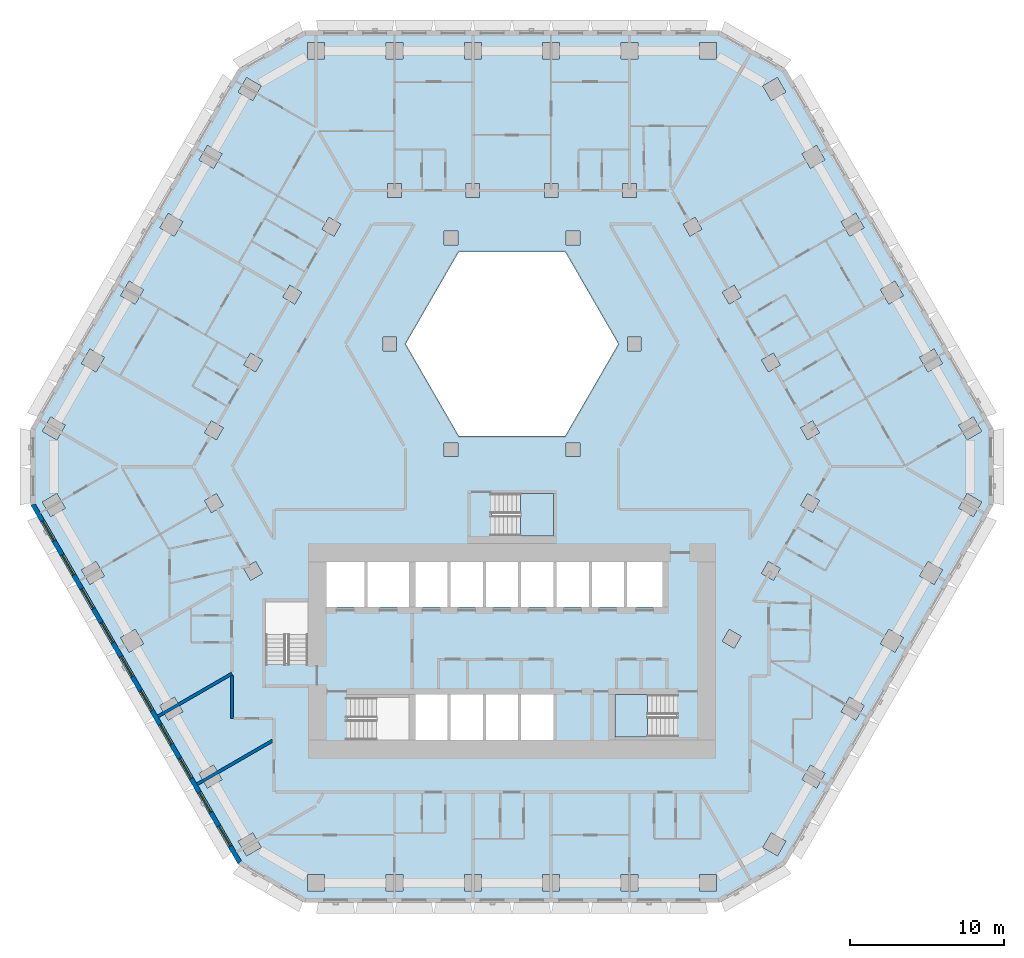
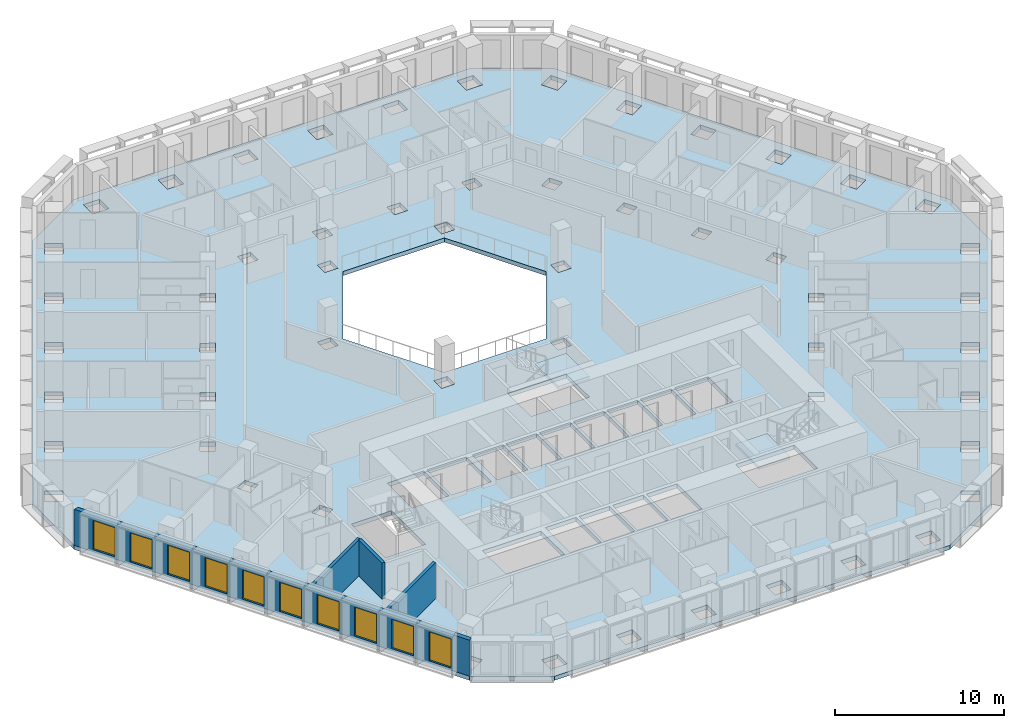
# One storey, part 2 of 21: 10 windows, 4 walls, 3 slabs, 10 openings, 2 elements without a shape of their own.
"""IFC4 building model written with IfcOpenShell, lengths in metres."""

import ifcopenshell
import ifcopenshell.guid

model = None  # the IFC model being written
_history = None  # IfcOwnerHistory: only IFC2X3 demands one
_inside = {}  # id of a spatial element -> (the spatial element, [elements in it])
_under = {}  # id of a project, library or spatial element -> (it, [spatial elements below it])
_declared = {}  # id of a project -> (the project, [libraries it declares])
_typed = {}  # id of a type object -> (the type object, [elements of that type])
_made_of = {}  # id of a material, layer set ... -> (it, [elements and type objects made of it])


def new_model(schema):
    """Start an empty IFC model of exactly this schema.

    Asked for "IFC4X3", IfcOpenShell would pick the latest addendum, in which some entities
    have other attributes; the version numbers below select the first issue.
    IFC2X3 requires an IfcOwnerHistory on every rooted entity: one is made here for all.
    """
    global model, _history
    if schema == "IFC4X3":
        model = ifcopenshell.file(schema_version=(4, 3, 0, 0))
    else:
        model = ifcopenshell.file(schema=schema)
    _inside.clear()
    _under.clear()
    _declared.clear()
    _typed.clear()
    _made_of.clear()
    _history = None
    if model.schema == "IFC2X3":
        org = make("IfcOrganization", Name="unknown")
        user = make(
            "IfcPersonAndOrganization",
            ThePerson=make("IfcPerson", FamilyName="unknown"),
            TheOrganization=org,
        )
        app = make(
            "IfcApplication",
            ApplicationDeveloper=org,
            Version="unknown",
            ApplicationFullName="unknown",
            ApplicationIdentifier="unknown",
        )
        _history = make(
            "IfcOwnerHistory",
            OwningUser=user,
            OwningApplication=app,
            ChangeAction="ADDED",
            CreationDate=0,
        )
    return model


def make(cls, **values):
    """One entity of the class cls with the attributes given. An attribute that is None is left unset."""
    return model.create_entity(
        cls, **{name: value for name, value in values.items() if value is not None}
    )


def rooted(cls, **values):
    """An entity with a GlobalId (a new one), such as an element, a storey or a relation."""
    return make(cls, GlobalId=ifcopenshell.guid.new(), OwnerHistory=_history, **values)


def si_unit(unit_type, name, prefix=None):
    """IfcSIUnit, for example si_unit("LENGTHUNIT", "METRE", prefix="MILLI")."""
    return make("IfcSIUnit", UnitType=unit_type, Prefix=prefix, Name=name)


def assignment(units):
    """IfcUnitAssignment: the units of a project."""
    return None if units is None else make("IfcUnitAssignment", Units=units)


def point(xyz):
    """IfcCartesianPoint."""
    return None if xyz is None else make("IfcCartesianPoint", Coordinates=xyz)


def direction(xyz):
    """IfcDirection."""
    return None if xyz is None else make("IfcDirection", DirectionRatios=xyz)


def frame(location, z_axis=None, x_axis=None):
    """IfcAxis2Placement3D, a coordinate frame: its origin and axes. An axis left out is left unset."""
    return make(
        "IfcAxis2Placement3D",
        Location=point(location),
        Axis=direction(z_axis),
        RefDirection=direction(x_axis),
    )


def frame_2d(location, x_axis=None):
    """IfcAxis2Placement2D, a coordinate frame in the plane: its origin and x axis."""
    return make(
        "IfcAxis2Placement2D", Location=point(location), RefDirection=direction(x_axis)
    )


def origin():
    """The frame at (0, 0, 0) with its axes left unset."""
    return frame((0.0, 0.0, 0.0))


def place(relative_to, where):
    """IfcLocalPlacement: puts the frame where relative to a parent placement (None: the world)."""
    return make(
        "IfcLocalPlacement", PlacementRelTo=relative_to, RelativePlacement=where
    )


def context(
    kind, dimensions, precision=None, world=None, true_north=None, identifier=None
):
    """IfcGeometricRepresentationContext, for example the 3D "Model" context."""
    return make(
        "IfcGeometricRepresentationContext",
        ContextIdentifier=identifier,
        ContextType=kind,
        CoordinateSpaceDimension=dimensions,
        Precision=precision,
        WorldCoordinateSystem=world,
        TrueNorth=true_north,
    )


def subcontext(parent, identifier, kind, view, scale=None):
    """IfcGeometricRepresentationSubContext, for example "Body" below "Model"."""
    return make(
        "IfcGeometricRepresentationSubContext",
        ContextIdentifier=identifier,
        ContextType=kind,
        ParentContext=parent,
        TargetScale=scale,
        TargetView=view,
    )


def project(units=None, contexts=None):
    """IfcProject with its units and contexts."""
    return rooted(
        "IfcProject",
        Name="project",
        RepresentationContexts=contexts,
        UnitsInContext=assignment(units),
    )


def spatial(cls, under=None, at=None, **own):
    """A site, building, storey or space (cls), placed at a placement, below another one or the project."""
    s = rooted(cls, ObjectPlacement=at, **own)
    if under is not None:
        _under.setdefault(under.id(), (under, []))[1].append(s)
    return s


def polyline(points):
    """IfcPolyline through the points."""
    return make("IfcPolyline", Points=[point(p) for p in points])


def profile(cls, at=None, kind="AREA", **sizes):
    """A parametric profile (cls). Its sizes go by their IFC names, for example OverallWidth=200.0."""
    return make(cls, ProfileType=kind, Position=at, **sizes)


def rectangle(**sizes):
    """IfcRectangleProfileDef."""
    return profile("IfcRectangleProfileDef", **sizes)


def outline(outer, holes=None, kind="AREA"):
    """IfcArbitraryClosedProfileDef: a profile drawn as a closed curve; with holes, ...WithVoids."""
    if holes is None:
        return make("IfcArbitraryClosedProfileDef", ProfileType=kind, OuterCurve=outer)
    return make(
        "IfcArbitraryProfileDefWithVoids",
        ProfileType=kind,
        OuterCurve=outer,
        InnerCurves=holes,
    )


def extrude(swept, where, along, depth):
    """IfcExtrudedAreaSolid: the profile swept, set in the frame where, extruded along a direction by depth."""
    return make(
        "IfcExtrudedAreaSolid",
        SweptArea=swept,
        Position=where,
        ExtrudedDirection=direction(along),
        Depth=depth,
    )


def shape(context_of_items, identifier, shape_type, items):
    """IfcShapeRepresentation: the items that make up one representation, for example the "Body"."""
    return make(
        "IfcShapeRepresentation",
        ContextOfItems=context_of_items,
        RepresentationIdentifier=identifier,
        RepresentationType=shape_type,
        Items=items,
    )


def material(Name=None, Category=None):
    """IfcMaterial."""
    return make("IfcMaterial", Name=Name, Category=Category)


def layer(
    of_material, thickness, ventilated=None, Name=None, Category=None, Priority=None
):
    """IfcMaterialLayer: one layer of a wall or slab, of a material (None: an air gap)."""
    return make(
        "IfcMaterialLayer",
        Material=of_material,
        LayerThickness=thickness,
        IsVentilated=ventilated,
        Name=Name,
        Category=Category,
        Priority=Priority,
    )


def layer_set(layers, Name=None):
    """IfcMaterialLayerSet."""
    return make("IfcMaterialLayerSet", MaterialLayers=layers, LayerSetName=Name)


def made_of(thing, what):
    """Note that an element or type object is made of a material, layer set ...; save() writes the relation."""
    if what is not None:
        _made_of.setdefault(what.id(), (what, []))[1].append(thing)
    return thing


def type_object(cls, material=None, **own):
    """A type object (cls), such as IfcWallType, which elements share."""
    return made_of(rooted(cls, **own), material)


def element(
    cls,
    number,
    at=None,
    inside=None,
    cuts=None,
    type_object=None,
    material=None,
    context=None,
    identifier="Body",
    shape_type=None,
    held_by="IfcProductDefinitionShape",
    body=None,
    shapes=None,
    **own,
):
    """One element of the class cls, such as IfcWall. Its Tag is "e" and its number.

    at: its placement. inside: the storey or other place that contains it. cuts: it is an
    opening in that element (IfcRelVoidsElement). A single representation is given by context,
    identifier, shape_type and body (its items); several are given by shapes. held_by: the class
    of the entity that holds the representations. save() writes the other relations.
    """
    e = rooted(cls, Tag="e%d" % number, ObjectPlacement=at, **own)
    if body is not None:
        shapes = [shape(context, identifier, shape_type, body)]
    if shapes is not None:
        e.Representation = make(held_by, Representations=shapes)
    if inside is not None:
        _inside.setdefault(inside.id(), (inside, []))[1].append(e)
    if cuts is not None:
        rooted(
            "IfcRelVoidsElement", RelatingBuildingElement=cuts, RelatedOpeningElement=e
        )
    if type_object is not None:
        _typed.setdefault(type_object.id(), (type_object, []))[1].append(e)
    return made_of(e, material)


def fill(opening, filler):
    """IfcRelFillsElement: the door or window that sits in an opening."""
    return rooted(
        "IfcRelFillsElement",
        RelatingOpeningElement=opening,
        RelatedBuildingElement=filler,
    )


def aggregate(whole, parts):
    """IfcRelAggregates: a whole, such as a stair, and the parts it consists of."""
    return rooted("IfcRelAggregates", RelatingObject=whole, RelatedObjects=parts)


def save(model, path):
    """Write the relations noted so far, then the file.

    IfcRelAggregates (storeys below a building ...), IfcRelContainedInSpatialStructure (elements
    in a storey), IfcRelDefinesByType, IfcRelAssociatesMaterial and IfcRelDeclares: one each for
    every whole, place, type object, material and project.
    """
    for whole, parts in _under.values():
        aggregate(whole, parts)
    for where, things in _inside.values():
        rooted(
            "IfcRelContainedInSpatialStructure",
            RelatedElements=things,
            RelatingStructure=where,
        )
    for kind, things in _typed.values():
        rooted("IfcRelDefinesByType", RelatedObjects=things, RelatingType=kind)
    for what, things in _made_of.values():
        rooted("IfcRelAssociatesMaterial", RelatedObjects=things, RelatingMaterial=what)
    for by, libraries in _declared.values():
        rooted("IfcRelDeclares", RelatingContext=by, RelatedDefinitions=libraries)
    model.write(path)


model = new_model("IFC4")

# Units and contexts
model_context = context("Model", 3, precision=1e-05, world=origin(), true_north=direction((0.0, 1.0)))
body_context = subcontext(model_context, "Body", "Model", "MODEL_VIEW")
ifc_project = project(units=[si_unit("LENGTHUNIT", "METRE"), si_unit("AREAUNIT", "SQUARE_METRE"), si_unit("VOLUMEUNIT", "CUBIC_METRE"), si_unit("PLANEANGLEUNIT", "RADIAN"), si_unit("MASSUNIT", "GRAM", prefix="KILO")], contexts=[model_context])

# Site, building, storey
site_placement = place(None, origin())
site = spatial("IfcSite", under=ifc_project, at=site_placement, CompositionType="ELEMENT")
building_placement = place(site_placement, origin())
building = spatial("IfcBuilding", under=site, at=building_placement, Name="Beryl Residences", CompositionType="ELEMENT")
storey_placement = place(building_placement, frame((0.0, 0.0, 59.39990234375)))
storey = spatial("IfcBuildingStorey", under=building, at=storey_placement, Name="L18", CompositionType="ELEMENT", Elevation=59.39990234375)

# Slab
ifc_material_1 = material(Name="Concrete C40/50", Category="concrete")
ifc_layer_1 = layer(ifc_material_1, 0.300048828125)
ifc_layer_set_1 = layer_set([ifc_layer_1], Name="SL7 PT floor slab 300 mm C40/50")
slab_type_1 = type_object("IfcSlabType", Name="SL7 PT floor slab 300 mm C40/50", PredefinedType="FLOOR", material=ifc_layer_set_1)
slab_1_placement = place(storey_placement, frame((0.0, 0.0, -0.2998046875)))
element("IfcSlab", 1, at=slab_1_placement, inside=storey, type_object=slab_type_1, Name="L18 slab 1", PredefinedType="FLOOR", context=body_context, shape_type="SweptSolid", body=[
    extrude(outline(polyline([(31.35009765625, -2.5), (17.840087890625, -25.89990234375), (13.510009765625, -28.39990234375), (-13.510009765625, -28.39990234375), (-17.840087890625, -25.89990234375), (-31.35009765625, -2.5), (-31.35009765625, 2.5), (-17.840087890625, 25.89990234375), (-13.510009765625, 28.39990234375), (13.510009765625, 28.39990234375), (17.840087890625, 25.89990234375), (31.35009765625, 2.5), (31.35009765625, -2.5)]), holes=[polyline([(30.60009765625, -2.298095703125), (29.64794921875, -1.748046875), (29.097900390625, -2.699951171875), (30.050048828125, -3.25), (30.60009765625, -2.298095703125)]), polyline([(30.59912109375, 2.299072265625), (30.049072265625, 3.2509765625), (29.096923828125, 2.700927734375), (29.64697265625, 1.7490234375), (30.59912109375, 2.299072265625)]), polyline([(28.049072265625, -6.718017578125), (27.096923828125, -6.16796875), (26.547119140625, -7.1201171875), (27.4990234375, -7.669921875), (28.049072265625, -6.718017578125)]), polyline([(27.498046875, 7.672119140625), (26.5458984375, 7.1220703125), (27.095947265625, 6.169921875), (28.048095703125, 6.719970703125), (27.498046875, 7.672119140625)]), polyline([(24.544921875, -10.587890625), (23.9951171875, -11.5400390625), (24.947021484375, -12.090087890625), (25.4970703125, -11.137939453125), (24.544921875, -10.587890625)]), polyline([(25.49609375, 11.139892578125), (24.946044921875, 12.092041015625), (23.993896484375, 11.5419921875), (24.5439453125, 10.590087890625), (25.49609375, 11.139892578125)]), polyline([(22.39501953125, -16.510009765625), (22.945068359375, -15.55810546875), (21.992919921875, -15.008056640625), (21.443115234375, -15.9599609375), (22.39501953125, -16.510009765625)]), polyline([(22.39404296875, 16.511962890625), (21.44189453125, 15.9619140625), (21.991943359375, 15.010009765625), (22.944091796875, 15.56005859375), (22.39404296875, 16.511962890625)]), polyline([(20.39306640625, -19.97900390625), (19.44091796875, -19.428955078125), (18.89111328125, -20.381103515625), (19.843017578125, -20.930908203125), (20.39306640625, -19.97900390625)]), polyline([(19.842041015625, 20.931884765625), (18.889892578125, 20.382080078125), (19.43994140625, 19.429931640625), (20.39208984375, 19.97998046875), (19.842041015625, 20.931884765625)]), polyline([(20.031982421875, -2.2041015625), (19.251953125, -1.75390625), (18.802001953125, -2.533935546875), (19.58203125, -2.98388671875), (20.031982421875, -2.2041015625)]), polyline([(20.031005859375, 2.2060546875), (19.5810546875, 2.986083984375), (18.801025390625, 2.535888671875), (19.2509765625, 1.756103515625), (20.031005859375, 2.2060546875)]), polyline([(17.841064453125, -24.39892578125), (16.888916015625, -23.84912109375), (16.339111328125, -24.801025390625), (17.291015625, -25.35107421875), (17.841064453125, -24.39892578125)]), polyline([(17.840087890625, 24.39990234375), (17.2900390625, 25.35205078125), (16.337890625, 24.802001953125), (16.887939453125, 23.85009765625), (17.840087890625, 24.39990234375)]), polyline([(17.47998046875, -6.6240234375), (16.699951171875, -6.174072265625), (16.25, -6.9541015625), (17.030029296875, -7.404052734375), (17.47998046875, -6.6240234375)]), polyline([(17.029052734375, 7.406005859375), (16.2490234375, 6.9560546875), (16.698974609375, 6.176025390625), (17.47900390625, 6.6259765625), (17.029052734375, 7.406005859375)]), polyline([(14.927978515625, -11.0439453125), (14.14794921875, -10.593994140625), (13.697998046875, -11.3740234375), (14.47802734375, -11.823974609375), (14.927978515625, -11.0439453125)]), polyline([(14.927001953125, 11.0458984375), (14.47705078125, 11.825927734375), (13.697021484375, 11.3759765625), (14.14697265625, 10.595947265625), (14.927001953125, 11.0458984375)]), polyline([(13.31103515625, -27.64990234375), (13.31103515625, -26.550048828125), (12.2109375, -26.550048828125), (12.2109375, -27.64990234375), (13.31103515625, -27.64990234375)]), polyline([(13.30908203125, 27.64990234375), (12.208984375, 27.64990234375), (12.208984375, 26.550048828125), (13.30908203125, 26.550048828125), (13.30908203125, 27.64990234375)]), polyline([(11.925048828125, 16.24609375), (11.14501953125, 15.7958984375), (11.594970703125, 15.01611328125), (12.375, 15.466064453125), (11.925048828125, 16.24609375)]), polyline([(10.699951171875, -14.85009765625), (6.699951171875, -14.85009765625), (6.699951171875, -17.60009765625), (10.699951171875, -17.60009765625), (10.699951171875, -14.85009765625)]), polyline([(9.800048828125, -6.199951171875), (7.5, -6.199951171875), (7.5, -9.14990234375), (9.800048828125, -9.14990234375), (9.800048828125, -6.199951171875)]), polyline([(8.4169921875, 7.550048828125), (8.4169921875, 8.449951171875), (7.51708984375, 8.449951171875), (7.51708984375, 7.550048828125), (8.4169921875, 7.550048828125)]), polyline([(7.10693359375, -27.64990234375), (8.20703125, -27.64990234375), (8.20703125, -26.550048828125), (7.10693359375, -26.550048828125), (7.10693359375, -27.64990234375)]), polyline([(8.205078125, 27.64990234375), (7.10498046875, 27.64990234375), (7.10498046875, 26.550048828125), (8.205078125, 26.550048828125), (8.205078125, 27.64990234375)]), polyline([(7.205078125, 18.449951171875), (7.205078125, 17.550048828125), (8.10498046875, 17.550048828125), (8.10498046875, 18.449951171875), (7.205078125, 18.449951171875)]), polyline([(5.199951171875, -9.14990234375), (7.300048828125, -9.14990234375), (7.300048828125, -6.199951171875), (5.199951171875, -6.199951171875), (5.199951171875, -9.14990234375)]), polyline([(3.464111328125, 14.0), (-3.464111328125, 14.0), (-6.92822265625, 8.0), (-3.464111328125, 2.0), (3.464111328125, 2.0), (6.92822265625, 8.0), (3.464111328125, 14.0)]), polyline([(2.89990234375, -6.199951171875), (2.89990234375, -9.14990234375), (5.0, -9.14990234375), (5.0, -6.199951171875), (2.89990234375, -6.199951171875)]), polyline([(4.43408203125, 15.35009765625), (3.533935546875, 15.35009765625), (3.533935546875, 14.449951171875), (4.43408203125, 14.449951171875), (4.43408203125, 15.35009765625)]), polyline([(4.43408203125, 0.64990234375), (4.43408203125, 1.550048828125), (3.533935546875, 1.550048828125), (3.533935546875, 0.64990234375), (4.43408203125, 0.64990234375)]), polyline([(3.10302734375, -27.64990234375), (3.10302734375, -26.550048828125), (2.0029296875, -26.550048828125), (2.0029296875, -27.64990234375), (3.10302734375, -27.64990234375)]), polyline([(2.0009765625, 27.64990234375), (2.0009765625, 26.550048828125), (3.10107421875, 26.550048828125), (3.10107421875, 27.64990234375), (2.0009765625, 27.64990234375)]), polyline([(3.0009765625, 18.449951171875), (2.10107421875, 18.449951171875), (2.10107421875, 17.550048828125), (3.0009765625, 17.550048828125), (3.0009765625, 18.449951171875)]), polyline([(-1.300048828125, -1.75), (-1.300048828125, -4.5), (2.699951171875, -4.5), (2.699951171875, -1.75), (-1.300048828125, -1.75)]), polyline([(0.60009765625, -9.14990234375), (2.699951171875, -9.14990234375), (2.699951171875, -6.199951171875), (0.60009765625, -6.199951171875), (0.60009765625, -9.14990234375)]), polyline([(0.60009765625, -17.800048828125), (2.699951171875, -17.800048828125), (2.699951171875, -14.85009765625), (0.60009765625, -14.85009765625), (0.60009765625, -17.800048828125)]), polyline([(-1.699951171875, -6.199951171875), (-1.699951171875, -9.14990234375), (0.39990234375, -9.14990234375), (0.39990234375, -6.199951171875), (-1.699951171875, -6.199951171875)]), polyline([(-1.699951171875, -14.85009765625), (-1.699951171875, -17.800048828125), (0.39990234375, -17.800048828125), (0.39990234375, -14.85009765625), (-1.699951171875, -14.85009765625)]), polyline([(-4.0, -9.14990234375), (-1.89990234375, -9.14990234375), (-1.89990234375, -6.199951171875), (-4.0, -6.199951171875), (-4.0, -9.14990234375)]), polyline([(-4.0, -17.800048828125), (-1.89990234375, -17.800048828125), (-1.89990234375, -14.85009765625), (-4.0, -14.85009765625), (-4.0, -17.800048828125)]), polyline([(-2.0009765625, -27.64990234375), (-2.0009765625, -26.550048828125), (-3.10107421875, -26.550048828125), (-3.10107421875, -27.64990234375), (-2.0009765625, -27.64990234375)]), polyline([(-3.10302734375, 27.64990234375), (-3.10302734375, 26.550048828125), (-2.0029296875, 26.550048828125), (-2.0029296875, 27.64990234375), (-3.10302734375, 27.64990234375)]), polyline([(-2.10302734375, 18.449951171875), (-3.0029296875, 18.449951171875), (-3.0029296875, 17.550048828125), (-2.10302734375, 17.550048828125), (-2.10302734375, 18.449951171875)]), polyline([(-3.533935546875, 14.449951171875), (-3.533935546875, 15.35009765625), (-4.43408203125, 15.35009765625), (-4.43408203125, 14.449951171875), (-3.533935546875, 14.449951171875)]), polyline([(-3.533935546875, 0.64990234375), (-3.533935546875, 1.550048828125), (-4.43408203125, 1.550048828125), (-4.43408203125, 0.64990234375), (-3.533935546875, 0.64990234375)]), polyline([(-6.300048828125, -9.14990234375), (-4.199951171875, -9.14990234375), (-4.199951171875, -6.199951171875), (-6.300048828125, -6.199951171875), (-6.300048828125, -9.14990234375)]), polyline([(-6.300048828125, -14.85009765625), (-6.300048828125, -17.800048828125), (-4.199951171875, -17.800048828125), (-4.199951171875, -14.85009765625), (-6.300048828125, -14.85009765625)]), polyline([(-6.699951171875, -17.800048828125), (-6.699951171875, -15.050048828125), (-10.699951171875, -15.050048828125), (-10.699951171875, -17.800048828125), (-6.699951171875, -17.800048828125)]), polyline([(-9.39990234375, -6.199951171875), (-9.39990234375, -9.14990234375), (-6.699951171875, -9.14990234375), (-6.699951171875, -6.199951171875), (-9.39990234375, -6.199951171875)]), polyline([(-8.205078125, -27.64990234375), (-7.10498046875, -27.64990234375), (-7.10498046875, -26.550048828125), (-8.205078125, -26.550048828125), (-8.205078125, -27.64990234375)]), polyline([(-7.10693359375, 27.64990234375), (-8.20703125, 27.64990234375), (-8.20703125, 26.550048828125), (-7.10693359375, 26.550048828125), (-7.10693359375, 27.64990234375)]), polyline([(-8.10693359375, 18.449951171875), (-8.10693359375, 17.550048828125), (-7.20703125, 17.550048828125), (-7.20703125, 18.449951171875), (-8.10693359375, 18.449951171875)]), polyline([(-8.4169921875, 7.550048828125), (-7.51708984375, 7.550048828125), (-7.51708984375, 8.449951171875), (-8.4169921875, 8.449951171875), (-8.4169921875, 7.550048828125)]), polyline([(-12.10009765625, -6.199951171875), (-12.10009765625, -9.14990234375), (-9.60009765625, -9.14990234375), (-9.60009765625, -6.199951171875), (-12.10009765625, -6.199951171875)]), polyline([(-12.3759765625, 15.465087890625), (-11.595947265625, 15.014892578125), (-11.14599609375, 15.794921875), (-11.926025390625, 16.2451171875), (-12.3759765625, 15.465087890625)]), polyline([(-12.208984375, -26.550048828125), (-13.30908203125, -26.550048828125), (-13.30908203125, -27.64990234375), (-12.208984375, -27.64990234375), (-12.208984375, -26.550048828125)]), polyline([(-13.31103515625, 27.64990234375), (-13.31103515625, 26.550048828125), (-12.2109375, 26.550048828125), (-12.2109375, 27.64990234375), (-13.31103515625, 27.64990234375)]), polyline([(-13.300048828125, -8.800048828125), (-16.050048828125, -8.800048828125), (-16.050048828125, -12.800048828125), (-13.300048828125, -12.800048828125), (-13.300048828125, -8.800048828125)]), polyline([(-14.47802734375, 11.823974609375), (-14.927978515625, 11.0439453125), (-14.14794921875, 10.593994140625), (-13.697998046875, 11.3740234375), (-14.47802734375, 11.823974609375)]), polyline([(-17.029052734375, -7.406005859375), (-16.2490234375, -6.9560546875), (-16.698974609375, -6.176025390625), (-17.47900390625, -6.6259765625), (-17.029052734375, -7.406005859375)]), polyline([(-17.47998046875, 6.6240234375), (-16.699951171875, 6.174072265625), (-16.25, 6.9541015625), (-17.030029296875, 7.404052734375), (-17.47998046875, 6.6240234375)]), polyline([(-17.2900390625, -25.35205078125), (-16.337890625, -24.802001953125), (-16.887939453125, -23.85009765625), (-17.840087890625, -24.39990234375), (-17.2900390625, -25.35205078125)]), polyline([(-17.841064453125, 24.39892578125), (-16.888916015625, 23.84912109375), (-16.339111328125, 24.801025390625), (-17.291015625, 25.35107421875), (-17.841064453125, 24.39892578125)]), polyline([(-20.031005859375, -2.2060546875), (-19.5810546875, -2.986083984375), (-18.801025390625, -2.535888671875), (-19.2509765625, -1.756103515625), (-20.031005859375, -2.2060546875)]), polyline([(-19.58203125, 2.98388671875), (-20.031982421875, 2.2041015625), (-19.251953125, 1.75390625), (-18.802001953125, 2.533935546875), (-19.58203125, 2.98388671875)]), polyline([(-19.842041015625, -20.931884765625), (-18.889892578125, -20.382080078125), (-19.43994140625, -19.429931640625), (-20.39208984375, -19.97998046875), (-19.842041015625, -20.931884765625)]), polyline([(-20.39306640625, 19.97900390625), (-19.44091796875, 19.428955078125), (-18.89111328125, 20.381103515625), (-19.843017578125, 20.930908203125), (-20.39306640625, 19.97900390625)]), polyline([(-22.39404296875, -16.511962890625), (-21.44189453125, -15.9619140625), (-21.991943359375, -15.010009765625), (-22.944091796875, -15.56005859375), (-22.39404296875, -16.511962890625)]), polyline([(-22.945068359375, 15.55810546875), (-21.992919921875, 15.008056640625), (-21.443115234375, 15.9599609375), (-22.39501953125, 16.510009765625), (-22.945068359375, 15.55810546875)]), polyline([(-24.946044921875, -12.092041015625), (-23.993896484375, -11.5419921875), (-24.5439453125, -10.590087890625), (-25.49609375, -11.139892578125), (-24.946044921875, -12.092041015625)]), polyline([(-24.544921875, 10.587890625), (-23.9951171875, 11.5400390625), (-24.947021484375, 12.090087890625), (-25.4970703125, 11.137939453125), (-24.544921875, 10.587890625)]), polyline([(-27.498046875, -7.672119140625), (-26.5458984375, -7.1220703125), (-27.095947265625, -6.169921875), (-28.048095703125, -6.719970703125), (-27.498046875, -7.672119140625)]), polyline([(-28.049072265625, 6.718017578125), (-27.096923828125, 6.16796875), (-26.547119140625, 7.1201171875), (-27.4990234375, 7.669921875), (-28.049072265625, 6.718017578125)]), polyline([(-29.096923828125, -2.700927734375), (-29.64697265625, -1.7490234375), (-30.59912109375, -2.299072265625), (-30.049072265625, -3.2509765625), (-29.096923828125, -2.700927734375)]), polyline([(-30.60009765625, 2.298095703125), (-29.64794921875, 1.748046875), (-29.097900390625, 2.699951171875), (-30.050048828125, 3.25), (-30.60009765625, 2.298095703125)])]), origin(), (0.0, 0.0, 1.0), 0.2998046875),
])

# Stair, slab
ifc_material_2 = material(Name="Concrete C40/50", Category="concrete")
stair_type = type_object("IfcStairType", Name="ST1 protected exit stair, half-turn, 1300 mm flights", PredefinedType="HALF_TURN_STAIR", material=ifc_material_2)
stair_1_placement = place(storey_placement, origin())
stair_1 = element("IfcStair", 2, at=stair_1_placement, inside=storey, type_object=stair_type, Name="L18 PROTECTED EXIT STAIR ST-3", PredefinedType="HALF_TURN_STAIR")
ifc_material_3 = material(Name="Concrete C40/50", Category="concrete")
ifc_layer_2 = layer(ifc_material_3, 0.199951171875)
ifc_layer_set_2 = layer_set([ifc_layer_2], Name="SLD1 stair landing 200 mm")
slab_type_2 = type_object("IfcSlabType", Name="SLD1 stair landing 200 mm", PredefinedType="LANDING", material=ifc_layer_set_2)
slab_2_placement = place(storey_placement, frame((0.0, 0.0, 1.300048828125)))
slab_2 = element("IfcSlab", 3, at=slab_2_placement, type_object=slab_type_2, Name="ST-3 landing 1", PredefinedType="LANDING", context=body_context, shape_type="SweptSolid", body=[
    extrude(outline(polyline([(8.840087890625, -14.85009765625), (6.699951171875, -14.85009765625), (6.699951171875, -17.60009765625), (8.840087890625, -17.60009765625), (8.840087890625, -14.85009765625)])), origin(), (0.0, 0.0, 1.0), 0.199951171875),
])
aggregate(stair_1, [slab_2])

stair_2_placement = place(storey_placement, origin())
stair_2 = element("IfcStair", 4, at=stair_2_placement, inside=storey, type_object=stair_type, Name="L18 PROTECTED EXIT STAIR ST-4", PredefinedType="HALF_TURN_STAIR")
slab_3_placement = place(storey_placement, frame((0.0, 0.0, 1.300048828125)))
slab_3 = element("IfcSlab", 5, at=slab_3_placement, type_object=slab_type_2, Name="ST-4 landing 1", PredefinedType="LANDING", context=body_context, shape_type="SweptSolid", body=[
    extrude(outline(polyline([(0.56005859375, -4.5), (2.699951171875, -4.5), (2.699951171875, -1.75), (0.56005859375, -1.75), (0.56005859375, -4.5)])), origin(), (0.0, 0.0, 1.0), 0.199951171875),
])
aggregate(stair_2, [slab_3])

# Wall, openings, windows
ifc_material_4 = material(Name="Composite metal panel with mineral wool insulation")
ifc_layer_3 = layer(ifc_material_4, 0.300048828125)
ifc_layer_set_3 = layer_set([ifc_layer_3], Name="ES1 pale metal composite panel wall 300 mm")
wall_type_1 = type_object("IfcWallType", Name="ES1 pale metal composite panel wall 300 mm", PredefinedType="SOLIDWALL", material=ifc_layer_set_3)
wall_1_placement = place(storey_placement, frame((-31.219970703125, -2.425048828125, 0.0), z_axis=(0.0, 0.0, 1.0), x_axis=(0.500001938803, -0.866024284413, 0.0)))
wall_1 = element("IfcWall", 6, at=wall_1_placement, inside=storey, type_object=wall_type_1, Name="ES1 external wall L18 SW", PredefinedType="SOLIDWALL", context=body_context, shape_type="SweptSolid", body=[
    extrude(outline(polyline([(0.0, -0.14990234375), (27.02001953125, -0.14990234375), (26.939697265625, 0.14990234375), (0.080322265625, 0.14990234375), (0.0, -0.14990234375)])), origin(), (0.0, 0.0, 1.0), 2.60009765625),
])
opening_1_placement = place(wall_1_placement, frame((1.277099609375, 0.0, 0.14990234375)))
opening_1 = element("IfcOpeningElement", 7, at=opening_1_placement, cuts=wall_1, Name="Opening W1", PredefinedType="OPENING", context=body_context, shape_type="SweptSolid", body=[
    extrude(rectangle(XDim=1.5, YDim=2.10009765625, at=frame_2d((0.75, 1.050048828125))), frame((0.0, 0.159912109375, 0.0), z_axis=(0.0, -1.0, 0.0), x_axis=(1.0, 0.0, 0.0)), (0.0, 0.0, 1.0), 0.320068359375),
])
opening_2_placement = place(wall_1_placement, frame((3.8291015625, 0.0, 0.14990234375)))
opening_2 = element("IfcOpeningElement", 8, at=opening_2_placement, cuts=wall_1, Name="Opening W1", PredefinedType="OPENING", context=body_context, shape_type="SweptSolid", body=[
    extrude(rectangle(XDim=1.5, YDim=2.10009765625, at=frame_2d((0.75, 1.050048828125))), frame((0.0, 0.159912109375, 0.0), z_axis=(0.0, -1.0, 0.0), x_axis=(1.0, 0.0, 0.0)), (0.0, 0.0, 1.0), 0.320068359375),
])
opening_3_placement = place(wall_1_placement, frame((6.382080078125, 0.0, 0.14990234375)))
opening_3 = element("IfcOpeningElement", 9, at=opening_3_placement, cuts=wall_1, Name="Opening W1", PredefinedType="OPENING", context=body_context, shape_type="SweptSolid", body=[
    extrude(rectangle(XDim=1.5, YDim=2.10009765625, at=frame_2d((0.75, 1.050048828125))), frame((0.0, 0.159912109375, 0.0), z_axis=(0.0, -1.0, 0.0), x_axis=(1.0, 0.0, 0.0)), (0.0, 0.0, 1.0), 0.320068359375),
])
opening_4_placement = place(wall_1_placement, frame((8.93310546875, 0.0, 0.14990234375)))
opening_4 = element("IfcOpeningElement", 10, at=opening_4_placement, cuts=wall_1, Name="Opening W1", PredefinedType="OPENING", context=body_context, shape_type="SweptSolid", body=[
    extrude(rectangle(XDim=1.5, YDim=2.10009765625, at=frame_2d((0.75, 1.050048828125))), frame((0.0, 0.159912109375, 0.0), z_axis=(0.0, -1.0, 0.0), x_axis=(1.0, 0.0, 0.0)), (0.0, 0.0, 1.0), 0.320068359375),
])
opening_5_placement = place(wall_1_placement, frame((11.485107421875, 0.0, 0.14990234375)))
opening_5 = element("IfcOpeningElement", 11, at=opening_5_placement, cuts=wall_1, Name="Opening W1", PredefinedType="OPENING", context=body_context, shape_type="SweptSolid", body=[
    extrude(rectangle(XDim=1.5, YDim=2.10009765625, at=frame_2d((0.75, 1.050048828125))), frame((0.0, 0.159912109375, 0.0), z_axis=(0.0, -1.0, 0.0), x_axis=(1.0, 0.0, 0.0)), (0.0, 0.0, 1.0), 0.320068359375),
])
opening_6_placement = place(wall_1_placement, frame((14.037109375, 0.0, 0.14990234375)))
opening_6 = element("IfcOpeningElement", 12, at=opening_6_placement, cuts=wall_1, Name="Opening W1", PredefinedType="OPENING", context=body_context, shape_type="SweptSolid", body=[
    extrude(rectangle(XDim=1.5, YDim=2.10009765625, at=frame_2d((0.75, 1.050048828125))), frame((0.0, 0.159912109375, 0.0), z_axis=(0.0, -1.0, 0.0), x_axis=(1.0, 0.0, 0.0)), (0.0, 0.0, 1.0), 0.320068359375),
])
opening_7_placement = place(wall_1_placement, frame((16.589111328125, 0.0, 0.14990234375)))
opening_7 = element("IfcOpeningElement", 13, at=opening_7_placement, cuts=wall_1, Name="Opening W1", PredefinedType="OPENING", context=body_context, shape_type="SweptSolid", body=[
    extrude(rectangle(XDim=1.5, YDim=2.10009765625, at=frame_2d((0.75, 1.050048828125))), frame((0.0, 0.159912109375, 0.0), z_axis=(0.0, -1.0, 0.0), x_axis=(1.0, 0.0, 0.0)), (0.0, 0.0, 1.0), 0.320068359375),
])
opening_8_placement = place(wall_1_placement, frame((19.14111328125, 0.0, 0.14990234375)))
opening_8 = element("IfcOpeningElement", 14, at=opening_8_placement, cuts=wall_1, Name="Opening W1", PredefinedType="OPENING", context=body_context, shape_type="SweptSolid", body=[
    extrude(rectangle(XDim=1.5, YDim=2.10009765625, at=frame_2d((0.75, 1.050048828125))), frame((0.0, 0.159912109375, 0.0), z_axis=(0.0, -1.0, 0.0), x_axis=(1.0, 0.0, 0.0)), (0.0, 0.0, 1.0), 0.320068359375),
])
opening_9_placement = place(wall_1_placement, frame((21.693115234375, 0.0, 0.14990234375)))
opening_9 = element("IfcOpeningElement", 15, at=opening_9_placement, cuts=wall_1, Name="Opening W1", PredefinedType="OPENING", context=body_context, shape_type="SweptSolid", body=[
    extrude(rectangle(XDim=1.5, YDim=2.10009765625, at=frame_2d((0.75, 1.050048828125))), frame((0.0, 0.159912109375, 0.0), z_axis=(0.0, -1.0, 0.0), x_axis=(1.0, 0.0, 0.0)), (0.0, 0.0, 1.0), 0.320068359375),
])
opening_10_placement = place(wall_1_placement, frame((24.243896484375, 0.0, 0.14990234375)))
opening_10 = element("IfcOpeningElement", 16, at=opening_10_placement, cuts=wall_1, Name="Opening W1", PredefinedType="OPENING", context=body_context, shape_type="SweptSolid", body=[
    extrude(rectangle(XDim=1.5, YDim=2.10009765625, at=frame_2d((0.75, 1.050048828125))), frame((0.0, 0.159912109375, 0.0), z_axis=(0.0, -1.0, 0.0), x_axis=(1.0, 0.0, 0.0)), (0.0, 0.0, 1.0), 0.320068359375),
])
ifc_material_5 = material(Name="Aluminium and clear glass", Category="aluminium")
window_type = type_object("IfcWindowType", Name="W1 cell window 1500 x 2100 mm", PartitioningType="SINGLE_PANEL", PredefinedType="WINDOW", material=ifc_material_5)
window_1_placement = place(opening_1_placement, origin())
window_1 = element("IfcWindow", 17, at=window_1_placement, inside=storey, type_object=window_type, Name="W1 window L18 SW 1", OverallHeight=2.10009765625, OverallWidth=1.5, PartitioningType="SINGLE_PANEL", PredefinedType="WINDOW", context=body_context, shape_type="SweptSolid", body=[
    extrude(rectangle(XDim=1.5, YDim=2.10009765625, at=frame_2d((0.75, 1.050048828125))), frame((0.0, 0.030029296875, 0.0), z_axis=(0.0, -1.0, 0.0), x_axis=(1.0, 0.0, 0.0)), (0.0, 0.0, 1.0), 0.06005859375),
])
fill(opening_1, window_1)
window_2_placement = place(opening_2_placement, origin())
window_2 = element("IfcWindow", 18, at=window_2_placement, inside=storey, type_object=window_type, Name="W1 window L18 SW 2", OverallHeight=2.10009765625, OverallWidth=1.5, PartitioningType="SINGLE_PANEL", PredefinedType="WINDOW", context=body_context, shape_type="SweptSolid", body=[
    extrude(rectangle(XDim=1.5, YDim=2.10009765625, at=frame_2d((0.75, 1.050048828125))), frame((0.0, 0.030029296875, 0.0), z_axis=(0.0, -1.0, 0.0), x_axis=(1.0, 0.0, 0.0)), (0.0, 0.0, 1.0), 0.06005859375),
])
fill(opening_2, window_2)
window_3_placement = place(opening_3_placement, origin())
window_3 = element("IfcWindow", 19, at=window_3_placement, inside=storey, type_object=window_type, Name="W1 window L18 SW 3", OverallHeight=2.10009765625, OverallWidth=1.5, PartitioningType="SINGLE_PANEL", PredefinedType="WINDOW", context=body_context, shape_type="SweptSolid", body=[
    extrude(rectangle(XDim=1.5, YDim=2.10009765625, at=frame_2d((0.75, 1.050048828125))), frame((0.0, 0.030029296875, 0.0), z_axis=(0.0, -1.0, 0.0), x_axis=(1.0, 0.0, 0.0)), (0.0, 0.0, 1.0), 0.06005859375),
])
fill(opening_3, window_3)
window_4_placement = place(opening_4_placement, origin())
window_4 = element("IfcWindow", 20, at=window_4_placement, inside=storey, type_object=window_type, Name="W1 window L18 SW 4", OverallHeight=2.10009765625, OverallWidth=1.5, PartitioningType="SINGLE_PANEL", PredefinedType="WINDOW", context=body_context, shape_type="SweptSolid", body=[
    extrude(rectangle(XDim=1.5, YDim=2.10009765625, at=frame_2d((0.75, 1.050048828125))), frame((0.0, 0.030029296875, 0.0), z_axis=(0.0, -1.0, 0.0), x_axis=(1.0, 0.0, 0.0)), (0.0, 0.0, 1.0), 0.06005859375),
])
fill(opening_4, window_4)
window_5_placement = place(opening_5_placement, origin())
window_5 = element("IfcWindow", 21, at=window_5_placement, inside=storey, type_object=window_type, Name="W1 window L18 SW 5", OverallHeight=2.10009765625, OverallWidth=1.5, PartitioningType="SINGLE_PANEL", PredefinedType="WINDOW", context=body_context, shape_type="SweptSolid", body=[
    extrude(rectangle(XDim=1.5, YDim=2.10009765625, at=frame_2d((0.75, 1.050048828125))), frame((0.0, 0.030029296875, 0.0), z_axis=(0.0, -1.0, 0.0), x_axis=(1.0, 0.0, 0.0)), (0.0, 0.0, 1.0), 0.06005859375),
])
fill(opening_5, window_5)
window_6_placement = place(opening_6_placement, origin())
window_6 = element("IfcWindow", 22, at=window_6_placement, inside=storey, type_object=window_type, Name="W1 window L18 SW 6", OverallHeight=2.10009765625, OverallWidth=1.5, PartitioningType="SINGLE_PANEL", PredefinedType="WINDOW", context=body_context, shape_type="SweptSolid", body=[
    extrude(rectangle(XDim=1.5, YDim=2.10009765625, at=frame_2d((0.75, 1.050048828125))), frame((0.0, 0.030029296875, 0.0), z_axis=(0.0, -1.0, 0.0), x_axis=(1.0, 0.0, 0.0)), (0.0, 0.0, 1.0), 0.06005859375),
])
fill(opening_6, window_6)
window_7_placement = place(opening_7_placement, origin())
window_7 = element("IfcWindow", 23, at=window_7_placement, inside=storey, type_object=window_type, Name="W1 window L18 SW 7", OverallHeight=2.10009765625, OverallWidth=1.5, PartitioningType="SINGLE_PANEL", PredefinedType="WINDOW", context=body_context, shape_type="SweptSolid", body=[
    extrude(rectangle(XDim=1.5, YDim=2.10009765625, at=frame_2d((0.75, 1.050048828125))), frame((0.0, 0.030029296875, 0.0), z_axis=(0.0, -1.0, 0.0), x_axis=(1.0, 0.0, 0.0)), (0.0, 0.0, 1.0), 0.06005859375),
])
fill(opening_7, window_7)
window_8_placement = place(opening_8_placement, origin())
window_8 = element("IfcWindow", 24, at=window_8_placement, inside=storey, type_object=window_type, Name="W1 window L18 SW 8", OverallHeight=2.10009765625, OverallWidth=1.5, PartitioningType="SINGLE_PANEL", PredefinedType="WINDOW", context=body_context, shape_type="SweptSolid", body=[
    extrude(rectangle(XDim=1.5, YDim=2.10009765625, at=frame_2d((0.75, 1.050048828125))), frame((0.0, 0.030029296875, 0.0), z_axis=(0.0, -1.0, 0.0), x_axis=(1.0, 0.0, 0.0)), (0.0, 0.0, 1.0), 0.06005859375),
])
fill(opening_8, window_8)
window_9_placement = place(opening_9_placement, origin())
window_9 = element("IfcWindow", 25, at=window_9_placement, inside=storey, type_object=window_type, Name="W1 window L18 SW 9", OverallHeight=2.10009765625, OverallWidth=1.5, PartitioningType="SINGLE_PANEL", PredefinedType="WINDOW", context=body_context, shape_type="SweptSolid", body=[
    extrude(rectangle(XDim=1.5, YDim=2.10009765625, at=frame_2d((0.75, 1.050048828125))), frame((0.0, 0.030029296875, 0.0), z_axis=(0.0, -1.0, 0.0), x_axis=(1.0, 0.0, 0.0)), (0.0, 0.0, 1.0), 0.06005859375),
])
fill(opening_9, window_9)
window_10_placement = place(opening_10_placement, origin())
window_10 = element("IfcWindow", 26, at=window_10_placement, inside=storey, type_object=window_type, Name="W1 window L18 SW 10", OverallHeight=2.10009765625, OverallWidth=1.5, PartitioningType="SINGLE_PANEL", PredefinedType="WINDOW", context=body_context, shape_type="SweptSolid", body=[
    extrude(rectangle(XDim=1.5, YDim=2.10009765625, at=frame_2d((0.75, 1.050048828125))), frame((0.0, 0.030029296875, 0.0), z_axis=(0.0, -1.0, 0.0), x_axis=(1.0, 0.0, 0.0)), (0.0, 0.0, 1.0), 0.06005859375),
])
fill(opening_10, window_10)

# Walls
ifc_material_6 = material(Name="Acoustic double stud gypsum board wall")
ifc_layer_4 = layer(ifc_material_6, 0.199951171875)
ifc_layer_set_4 = layer_set([ifc_layer_4], Name="PT3 party wall 200 mm acoustic double stud")
wall_type_2 = type_object("IfcWallType", Name="PT3 party wall 200 mm acoustic double stud", PredefinedType="PARTITIONING", material=ifc_layer_set_4)
wall_2_placement = place(storey_placement, frame((-20.507080078125, -20.680908203125, 0.0), z_axis=(0.0, 0.0, 1.0), x_axis=(0.866028446103, 0.499994730513, 0.0)))
element("IfcWall", 27, at=wall_2_placement, inside=storey, type_object=wall_type_2, Name="Wall PT3 L18 025", PredefinedType="PARTITIONING", context=body_context, shape_type="SweptSolid", body=[
    extrude(rectangle(XDim=5.666015625, YDim=0.199951171875, at=frame_2d((2.8330078125, 0.0))), origin(), (0.0, 0.0, 1.0), 2.60009765625),
])
wall_3_placement = place(storey_placement, frame((-23.05908203125, -16.260986328125, 0.0), z_axis=(0.0, 0.0, 1.0), x_axis=(0.866075767886, 0.499912756669, 0.0)))
element("IfcWall", 28, at=wall_3_placement, inside=storey, type_object=wall_type_2, Name="Wall PT3 L18 027", PredefinedType="PARTITIONING", context=body_context, shape_type="SweptSolid", body=[
    extrude(rectangle(XDim=5.552734375, YDim=0.199951171875, at=frame_2d((2.7763671875, 0.0))), origin(), (0.0, 0.0, 1.0), 2.60009765625),
])
ifc_material_7 = material(Name="Double stud gypsum board wall")
ifc_layer_5 = layer(ifc_material_7, 0.199951171875)
ifc_layer_set_5 = layer_set([ifc_layer_5], Name="PT4 corridor wall 200 mm double stud")
wall_type_3 = type_object("IfcWallType", Name="PT4 corridor wall 200 mm double stud", PredefinedType="PARTITIONING", material=ifc_layer_set_5)
wall_4_placement = place(storey_placement, frame((-18.25, -16.39990234375, 0.0), z_axis=(0.0, 0.0, 1.0), x_axis=(0.0, 1.0, 0.0)))
element("IfcWall", 29, at=wall_4_placement, inside=storey, type_object=wall_type_3, Name="Wall PT4 L18 032", PredefinedType="PARTITIONING", context=body_context, shape_type="SweptSolid", body=[
    extrude(rectangle(XDim=2.7998046875, YDim=0.199951171875, at=frame_2d((1.39990234375, 0.0))), origin(), (0.0, 0.0, 1.0), 2.60009765625),
])

save(model, "model.ifc")
